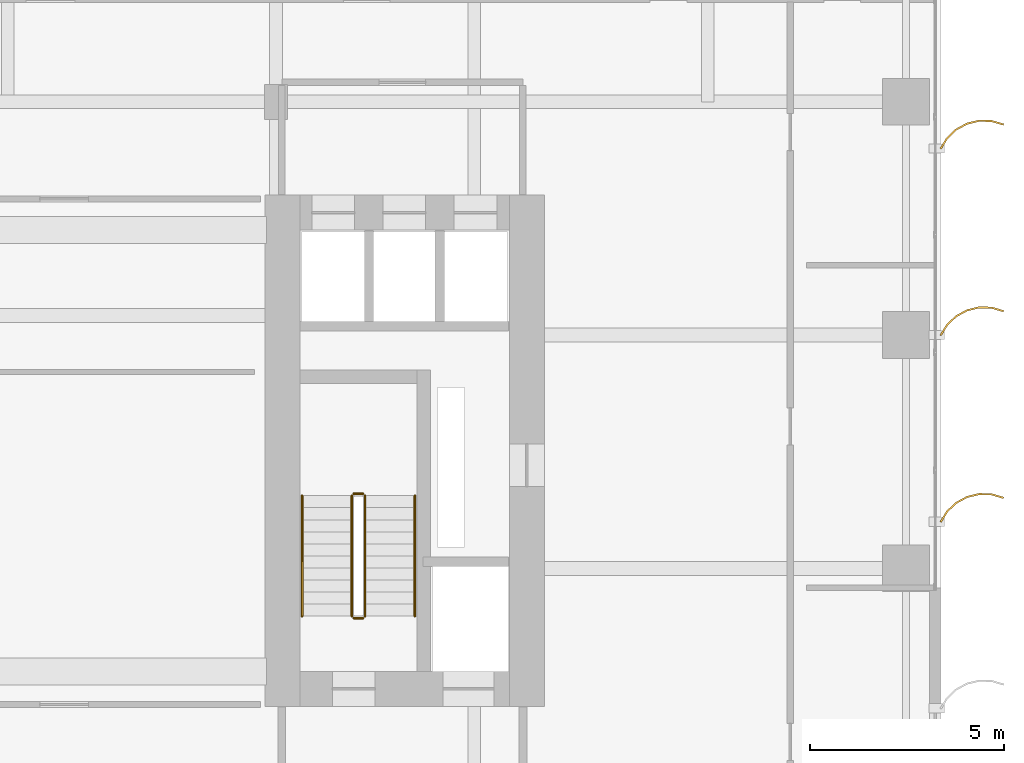
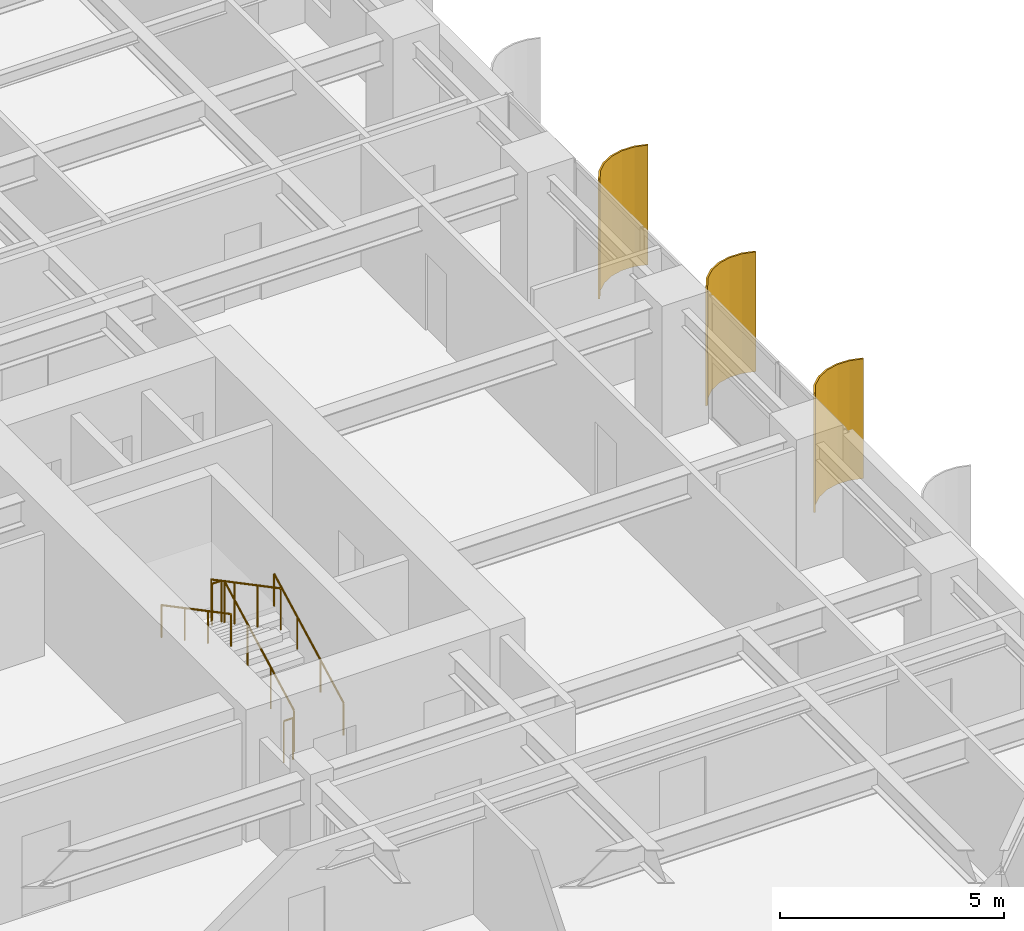
# One storey, part 24 of 25: 6 railings, 3 shading devices.
"""IFC4 building model written with IfcOpenShell, lengths in metres."""

from ifc_helpers import new_model, si_unit, direction, frame, origin, origin_2d, place, context, subcontext, project, spatial, polyline, circle, outline, extrude, source, transform, mapped, material, layer, layer_set, type_object, element, save


model = new_model("IFC4")

# Units and contexts
model_context = context("Model", 3, precision=1e-05, world=origin(), true_north=direction((0.0, 1.0)))
body_context = subcontext(model_context, "Body", "Model", "MODEL_VIEW")
ifc_project = project(units=[si_unit("LENGTHUNIT", "METRE"), si_unit("AREAUNIT", "SQUARE_METRE"), si_unit("VOLUMEUNIT", "CUBIC_METRE"), si_unit("PLANEANGLEUNIT", "RADIAN"), si_unit("MASSUNIT", "GRAM", prefix="KILO")], contexts=[model_context])

# Site, building, storey
site_placement = place(None, origin())
site = spatial("IfcSite", under=ifc_project, at=site_placement, CompositionType="ELEMENT")
building_placement = place(site_placement, origin())
building = spatial("IfcBuilding", under=site, at=building_placement, Name="Khoralis Quay Care Tower", CompositionType="ELEMENT")
storey_placement = place(building_placement, frame((0.0, 0.0, 51.300048828125)))
storey = spatial("IfcBuildingStorey", under=building, at=storey_placement, Name="L13", CompositionType="ELEMENT", Elevation=51.300048828125)

# Railings
ifc_material_1 = material(Name="Brushed stainless steel", Category="steel")
railing_type_1 = type_object("IfcRailingType", Name="RL-GUARD-1150", PredefinedType="GUARDRAIL", material=ifc_material_1)
railing_1_placement = place(storey_placement, frame((33.18994140625, 16.77001953125, 0.16357421875)))
element("IfcRailing", 1, at=railing_1_placement, inside=storey, type_object=railing_type_1, Name="L13 ST-T2 stair guard 1", PredefinedType="GUARDRAIL", context=body_context, shape_type="SweptSolid", body=[
    extrude(circle(Radius=0.02392578125, at=origin_2d()), frame((0.0, 0.0, 1.1259765625), z_axis=(0.0, 0.884348015382, 0.466828220752), x_axis=(-1.0, 0.0, 0.0)), (0.0, 0.0, 1.0), 3.505615234375),
    extrude(circle(Radius=0.02099609375, at=origin_2d()), origin(), (0.0, 0.0, 1.0), 1.101806640625),
    extrude(circle(Radius=0.02099609375, at=origin_2d()), frame((0.0, 1.033447265625, 0.54541015625)), (0.0, 0.0, 1.0), 1.101806640625),
    extrude(circle(Radius=0.02099609375, at=origin_2d()), frame((0.0, 2.066650390625, 1.091064453125)), (0.0, 0.0, 1.0), 1.101806640625),
    extrude(circle(Radius=0.02099609375, at=origin_2d()), frame((0.0, 3.10009765625, 1.636474609375)), (0.0, 0.0, 1.0), 1.101806640625),
])
railing_2_placement = place(storey_placement, frame((33.139892578125, 19.919921875, 1.800048828125)))
element("IfcRailing", 2, at=railing_2_placement, inside=storey, type_object=railing_type_1, Name="L13 ST-T2 stair guard 2", PredefinedType="GUARDRAIL", context=body_context, shape_type="SweptSolid", body=[
    extrude(circle(Radius=0.02392578125, at=origin_2d()), frame((0.0, 0.0, 1.1259765625), z_axis=(-1.0, 0.0, 0.0), x_axis=(0.0, -1.0, 0.0)), (0.0, 0.0, 1.0), 0.239990234375),
    extrude(circle(Radius=0.02099609375, at=origin_2d()), origin(), (0.0, 0.0, 1.0), 1.101806640625),
    extrude(circle(Radius=0.02099609375, at=origin_2d()), frame((-0.239990234375, 0.0, 0.0)), (0.0, 0.0, 1.0), 1.101806640625),
])
railing_3_placement = place(storey_placement, frame((32.85009765625, 19.8701171875, 1.963623046875)))
element("IfcRailing", 3, at=railing_3_placement, inside=storey, type_object=railing_type_1, Name="L13 ST-T2 stair guard 3", PredefinedType="GUARDRAIL", context=body_context, shape_type="SweptSolid", body=[
    extrude(circle(Radius=0.02392578125, at=origin_2d()), frame((0.0, 0.0, 1.1259765625), z_axis=(0.0, -0.884376766648, 0.46677375099), x_axis=(1.0, 0.0, 0.0)), (0.0, 0.0, 1.0), 3.50537109375),
    extrude(circle(Radius=0.02099609375, at=origin_2d()), origin(), (0.0, 0.0, 1.0), 1.101806640625),
    extrude(circle(Radius=0.02099609375, at=origin_2d()), frame((0.0, -1.033447265625, 0.54541015625)), (0.0, 0.0, 1.0), 1.101806640625),
    extrude(circle(Radius=0.02099609375, at=origin_2d()), frame((0.0, -2.066650390625, 1.0908203125)), (0.0, 0.0, 1.0), 1.101806640625),
    extrude(circle(Radius=0.02099609375, at=origin_2d()), frame((0.0, -3.10009765625, 1.63623046875)), (0.0, 0.0, 1.0), 1.101806640625),
])
railing_4_placement = place(storey_placement, frame((33.139892578125, 16.719970703125, 0.0)))
element("IfcRailing", 4, at=railing_4_placement, inside=storey, type_object=railing_type_1, Name="L13 ST-T2 stair guard 4", PredefinedType="GUARDRAIL", context=body_context, shape_type="SweptSolid", body=[
    extrude(circle(Radius=0.02392578125, at=origin_2d()), frame((0.0, 0.0, 1.1259765625), z_axis=(-1.0, 0.0, 0.0), x_axis=(0.0, -1.0, 0.0)), (0.0, 0.0, 1.0), 0.239990234375),
    extrude(circle(Radius=0.02099609375, at=origin_2d()), origin(), (0.0, 0.0, 1.0), 1.101806640625),
    extrude(circle(Radius=0.02099609375, at=origin_2d()), frame((-0.239990234375, 0.0, 0.0)), (0.0, 0.0, 1.0), 1.101806640625),
])
railing_type_2 = type_object("IfcRailingType", Name="RL-HAND-900", PredefinedType="HANDRAIL", material=ifc_material_1)
railing_5_placement = place(storey_placement, frame((34.469970703125, 16.77001953125, 0.16357421875)))
element("IfcRailing", 5, at=railing_5_placement, inside=storey, type_object=railing_type_2, Name="L13 ST-T2 stair handrail 1", PredefinedType="HANDRAIL", context=body_context, shape_type="SweptSolid", body=[
    extrude(circle(Radius=0.02392578125, at=origin_2d()), frame((0.0, 0.0, 0.8759765625), z_axis=(0.0, 0.884348015382, 0.466828220752), x_axis=(-1.0, 0.0, 0.0)), (0.0, 0.0, 1.0), 3.505615234375),
    extrude(circle(Radius=0.02099609375, at=origin_2d()), origin(), (0.0, 0.0, 1.0), 0.851806640625),
    extrude(circle(Radius=0.02099609375, at=origin_2d()), frame((0.0, 1.033447265625, 0.54541015625)), (0.0, 0.0, 1.0), 0.851806640625),
    extrude(circle(Radius=0.02099609375, at=origin_2d()), frame((0.0, 2.066650390625, 1.091064453125)), (0.0, 0.0, 1.0), 0.851806640625),
    extrude(circle(Radius=0.02099609375, at=origin_2d()), frame((0.0, 3.10009765625, 1.636474609375)), (0.0, 0.0, 1.0), 0.851806640625),
])
railing_6_placement = place(storey_placement, frame((31.570068359375, 19.8701171875, 1.963623046875)))
element("IfcRailing", 6, at=railing_6_placement, inside=storey, type_object=railing_type_2, Name="L13 ST-T2 stair handrail 2", PredefinedType="HANDRAIL", context=body_context, shape_type="SweptSolid", body=[
    extrude(circle(Radius=0.02392578125, at=origin_2d()), frame((0.0, 0.0, 0.8759765625), z_axis=(0.0, -0.884376766648, 0.46677375099), x_axis=(1.0, 0.0, 0.0)), (0.0, 0.0, 1.0), 3.50537109375),
    extrude(circle(Radius=0.02099609375, at=origin_2d()), origin(), (0.0, 0.0, 1.0), 0.851806640625),
    extrude(circle(Radius=0.02099609375, at=origin_2d()), frame((0.0, -1.033447265625, 0.54541015625)), (0.0, 0.0, 1.0), 0.851806640625),
    extrude(circle(Radius=0.02099609375, at=origin_2d()), frame((0.0, -2.066650390625, 1.0908203125)), (0.0, 0.0, 1.0), 0.851806640625),
    extrude(circle(Radius=0.02099609375, at=origin_2d()), frame((0.0, -3.10009765625, 1.63623046875)), (0.0, 0.0, 1.0), 0.851806640625),
])

# Shading devices
ifc_material_2 = material(Name="Brushed pale anodised aluminium", Category="aluminium")
ifc_layer = layer(ifc_material_2, 0.044921875)
ifc_layer_set = layer_set([ifc_layer], Name="Brushed pale anodised aluminium")
shading_device_type = type_object("IfcShadingDeviceType", Name="SHD-FIN-1250", PredefinedType="USERDEFINED", material=ifc_layer_set)
shared_shape = source(origin(), body_context, "Body", "SweptSolid", [
    extrude(outline(polyline([(0.0, 0.0), (0.17041015625, 0.2783203125), (0.4072265625, 0.5029296875), (0.694091796875, 0.658447265625), (1.01123046875, 0.734619140625), (1.33740234375, 0.72607421875), (1.650390625, 0.633544921875), (1.632080078125, 0.59228515625), (1.330322265625, 0.681640625), (1.015869140625, 0.68994140625), (0.710205078125, 0.616455078125), (0.43359375, 0.466552734375), (0.20556640625, 0.25), (0.041015625, -0.018310546875), (0.0, 0.0)])), origin(), (0.0, 0.0, 1.0), 3.260009765625),
])
for number, where, z_axis, x_axis, name in (
    (7, (47.969970703125, 19.199951171875, 0.02001953125), (0.0, 0.0, 1.0), (1.0, 0.0, 0.0), "L13 Curved Solar Fin P1E5-03"),
    (8, (47.969970703125, 24.0, 0.02001953125), (0.0, 0.0, 1.0), (1.0, 0.0, 0.0), "L13 Curved Solar Fin P1E5-04"),
    (9, (47.969970703125, 28.800048828125, 0.02001953125), (0.0, 0.0, 1.0), (1.0, 0.0, 0.0), "L13 Curved Solar Fin P1E5-05"),
):
    element("IfcShadingDevice", number, at=place(storey_placement, frame(where, z_axis=z_axis, x_axis=x_axis)), inside=storey, type_object=shading_device_type, Name=name, ObjectType="FIN", PredefinedType="USERDEFINED", context=body_context, shape_type="MappedRepresentation", body=[
        mapped(shared_shape, transform((0.0, 0.0, 0.0), scale=1.0)),
    ])

save(model, "model.ifc")
